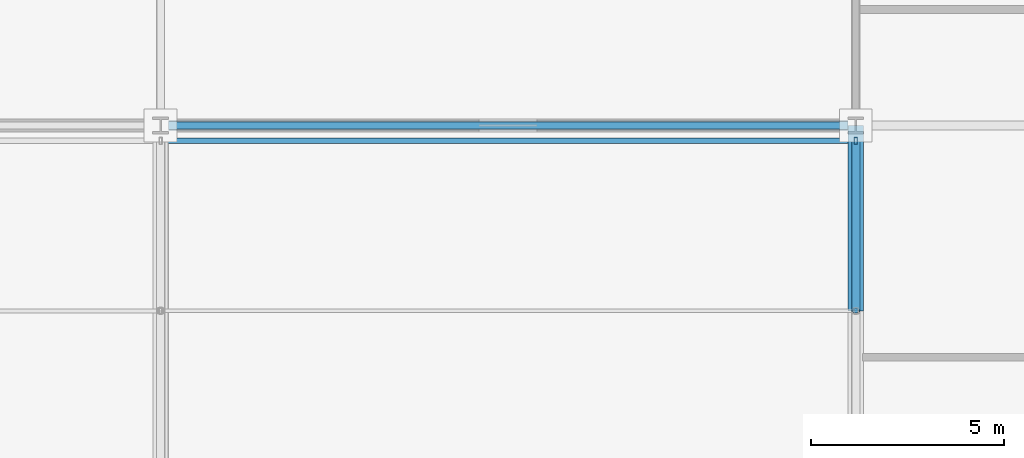
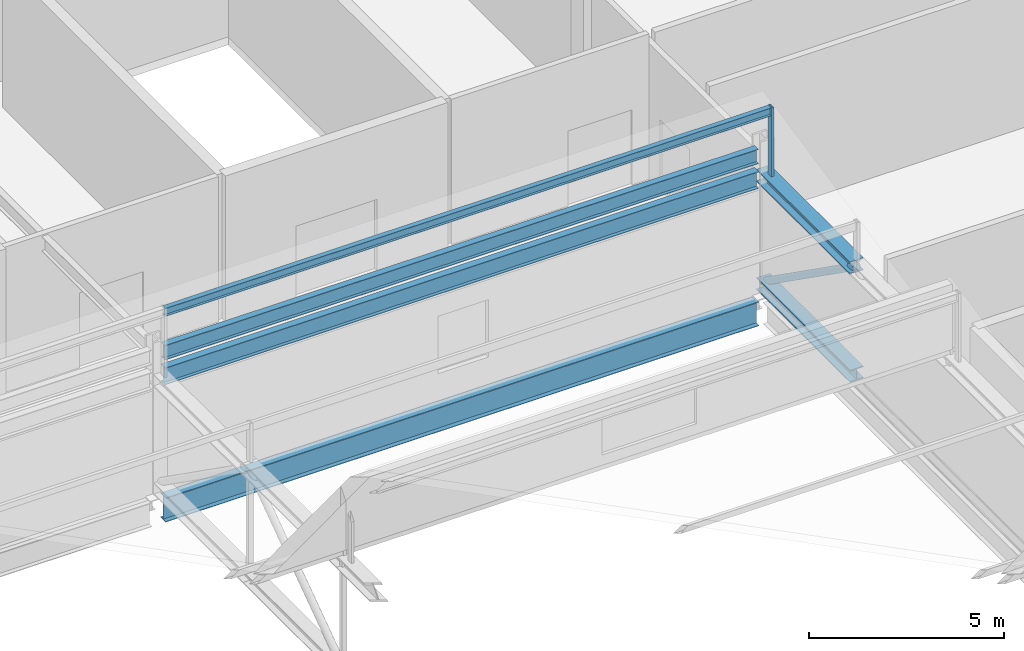
# One storey, part 74 of 136: 5 beams, 3 members.
"""IFC4 building model written with IfcOpenShell, lengths in metres."""

from ifc_helpers import new_model, si_unit, direction, frame, origin, origin_2d, place, context, subcontext, project, spatial, hollow_rectangle, hollow_circle, i_section, extrude, material, material_profile, profile_set, type_object, element, save


model = new_model("IFC4")

# Units and contexts
model_context = context("Model", 3, precision=1e-05, world=origin(), true_north=direction((0.0, 1.0)))
body_context = subcontext(model_context, "Body", "Model", "MODEL_VIEW")
ifc_project = project(units=[si_unit("LENGTHUNIT", "METRE"), si_unit("AREAUNIT", "SQUARE_METRE"), si_unit("VOLUMEUNIT", "CUBIC_METRE"), si_unit("PLANEANGLEUNIT", "RADIAN"), si_unit("MASSUNIT", "GRAM", prefix="KILO")], contexts=[model_context])

# Site, building, storey
site_placement = place(None, origin())
site = spatial("IfcSite", under=ifc_project, at=site_placement, CompositionType="ELEMENT")
building_placement = place(site_placement, origin())
building = spatial("IfcBuilding", under=site, at=building_placement, Name="Kisiwana Market Hall", CompositionType="ELEMENT")
storey_placement = place(building_placement, frame((0.0, 0.0, 16.800048828125)))
storey = spatial("IfcBuildingStorey", under=building, at=storey_placement, Name="L03", CompositionType="ELEMENT", Elevation=16.800048828125)

# Beams
ifc_material_1 = material(Name="Steel S355", Category="steel")
ifc_material_profile_1 = material_profile(ifc_material_1, i_section(OverallWidth=0.19140625, OverallDepth=0.4599609375, WebThickness=0.010009765625, FlangeThickness=0.01611328125, at=origin_2d()), Name="UB 457x191x82")
ifc_profile_set_1 = profile_set([ifc_material_profile_1], Name="Steel S355")
beam_type_1 = type_object("IfcBeamType", Name="BM-GIRD-UB457H", PredefinedType="BEAM", material=ifc_profile_set_1)
beam_1_placement = place(storey_placement, frame((135.201904296875, 84.0, 4.27783203125), z_axis=(1.0, 0.0, 0.0), x_axis=(0.0, 1.0, 0.0)))
element("IfcBeam", 1, at=beam_1_placement, inside=storey, type_object=beam_type_1, Name="Roof girder B-1157", PredefinedType="BEAM", context=body_context, shape_type="SweptSolid", body=[
    extrude(i_section(OverallWidth=0.19140625, OverallDepth=0.4599609375, WebThickness=0.010009765625, FlangeThickness=0.01611328125, at=origin_2d()), origin(), (0.0, 0.0, 1.0), 17.59619140625),
])
ifc_material_2 = material(Name="Steel S355", Category="steel")
ifc_material_profile_2 = material_profile(ifc_material_2, i_section(OverallWidth=0.209228515625, OverallDepth=0.533203125, WebThickness=0.010009765625, FlangeThickness=0.015625, at=origin_2d()), Name="UB 533x210x92")
ifc_profile_set_2 = profile_set([ifc_material_profile_2], Name="Steel S355")
beam_type_2 = type_object("IfcBeamType", Name="BM-GIRD-UB533", PredefinedType="BEAM", material=ifc_profile_set_2)
beam_2_placement = place(storey_placement, frame((135.199951171875, 84.0, 3.54345703125), z_axis=(1.0, 0.0, 0.0), x_axis=(0.0, 1.0, 0.0)))
element("IfcBeam", 2, at=beam_2_placement, inside=storey, type_object=beam_type_2, Name="Truss eaves tie B-1176", PredefinedType="BEAM", context=body_context, shape_type="SweptSolid", body=[
    extrude(i_section(OverallWidth=0.209228515625, OverallDepth=0.533203125, WebThickness=0.010009765625, FlangeThickness=0.015625, at=origin_2d()), origin(), (0.0, 0.0, 1.0), 17.60009765625),
])
ifc_material_3 = material(Name="Steel S355", Category="steel")
ifc_material_profile_3 = material_profile(ifc_material_3, i_section(OverallWidth=0.2666015625, OverallDepth=0.76220703125, WebThickness=0.014404296875, FlangeThickness=0.021484375, at=origin_2d()), Name="UB 762x267x173")
ifc_profile_set_3 = profile_set([ifc_material_profile_3], Name="Steel S355")
beam_type_3 = type_object("IfcBeamType", Name="BM-GIRD-UB762", PredefinedType="BEAM", material=ifc_profile_set_3)
beam_3_placement = place(storey_placement, frame((135.201904296875, 84.0, -0.631103515625), z_axis=(1.0, 0.0, 0.0), x_axis=(0.0, 1.0, 0.0)))
element("IfcBeam", 3, at=beam_3_placement, inside=storey, type_object=beam_type_3, Name="Floor beam B-1036", PredefinedType="BEAM", context=body_context, shape_type="SweptSolid", body=[
    extrude(i_section(OverallWidth=0.2666015625, OverallDepth=0.76220703125, WebThickness=0.014404296875, FlangeThickness=0.021484375, at=origin_2d()), origin(), (0.0, 0.0, 1.0), 17.59619140625),
])
ifc_material_4 = material(Name="Steel S355", Category="steel")
ifc_material_profile_4 = material_profile(ifc_material_4, i_section(OverallWidth=0.394775390625, OverallDepth=0.381103515625, WebThickness=0.018310546875, FlangeThickness=0.0302734375, at=origin_2d()), Name="UC 356x406x235")
ifc_profile_set_4 = profile_set([ifc_material_profile_4], Name="Steel S355")
beam_type_4 = type_object("IfcBeamType", Name="BM-TRUSS-BOT", PredefinedType="USERDEFINED", material=ifc_profile_set_4)
beam_4_placement = place(storey_placement, frame((153.0, 79.199951171875, 0.22998046875), z_axis=(0.0, 1.0, 0.0), x_axis=(-1.0, 0.0, 0.0)))
element("IfcBeam", 4, at=beam_4_placement, inside=storey, type_object=beam_type_4, Name="TR-08 BC panel 10 B-1318", ObjectType="ROOF TRUSS", PredefinedType="USERDEFINED", context=body_context, shape_type="SweptSolid", body=[
    extrude(i_section(OverallWidth=0.394775390625, OverallDepth=0.381103515625, WebThickness=0.018310546875, FlangeThickness=0.0302734375, at=origin_2d()), origin(), (0.0, 0.0, 1.0), 4.800048828125),
])
ifc_material_5 = material(Name="Steel S355", Category="steel")
ifc_material_profile_5 = material_profile(ifc_material_5, i_section(OverallWidth=0.39892578125, OverallDepth=0.3935546875, WebThickness=0.022705078125, FlangeThickness=0.03662109375, at=origin_2d()), Name="UC 356x406x287")
ifc_profile_set_5 = profile_set([ifc_material_profile_5], Name="Steel S355")
beam_type_5 = type_object("IfcBeamType", Name="BM-TRUSS-TOP", PredefinedType="USERDEFINED", material=ifc_profile_set_5)
beam_5_placement = place(storey_placement, frame((153.0, 79.199951171875, 3.619873046875), z_axis=(0.0, 1.0, 0.0), x_axis=(-1.0, 0.0, 0.0)))
element("IfcBeam", 5, at=beam_5_placement, inside=storey, type_object=beam_type_5, Name="TR-08 TC panel 10 B-1328", ObjectType="ROOF TRUSS", PredefinedType="USERDEFINED", context=body_context, shape_type="SweptSolid", body=[
    extrude(i_section(OverallWidth=0.39892578125, OverallDepth=0.3935546875, WebThickness=0.022705078125, FlangeThickness=0.03662109375, at=origin_2d()), origin(), (0.0, 0.0, 1.0), 4.800048828125),
])

# Members
ifc_material_6 = material(Name="Steel S355", Category="steel")
ifc_material_profile_6 = material_profile(ifc_material_6, hollow_rectangle(XDim=0.080078125, YDim=0.179931640625, WallThickness=0.00634765625, at=origin_2d()), Name="RHS 180x80x6.3")
ifc_profile_set_6 = profile_set([ifc_material_profile_6], Name="Steel S355")
member_type_1 = type_object("IfcMemberType", Name="MB-CAN-STRUT", PredefinedType="STRUT", material=ifc_profile_set_6)
member_1_placement = place(storey_placement, frame((153.0, 83.60009765625, 3.619873046875), z_axis=(0.0, 0.0, 1.0), x_axis=(1.0, 0.0, 0.0)))
element("IfcMember", 6, at=member_1_placement, inside=storey, type_object=member_type_1, Name="Sawtooth raker post 348 M-0335", PredefinedType="STRUT", context=body_context, shape_type="SweptSolid", body=[
    extrude(hollow_rectangle(XDim=0.080078125, YDim=0.179931640625, WallThickness=0.00634765625, at=origin_2d()), origin(), (0.0, 0.0, 1.0), 2.355712890625),
])
ifc_material_7 = material(Name="Steel S355", Category="steel")
ifc_material_profile_7 = material_profile(ifc_material_7, i_section(OverallWidth=0.146484375, OverallDepth=0.256103515625, WebThickness=0.00634765625, FlangeThickness=0.010986328125, at=origin_2d()), Name="UB 254x146x37")
ifc_profile_set_7 = profile_set([ifc_material_profile_7], Name="Steel S355")
member_type_2 = type_object("IfcMemberType", Name="MB-ROOF-PURLIN2", PredefinedType="PURLIN", material=ifc_profile_set_7)
member_2_placement = place(storey_placement, frame((135.0, 83.60009765625, 5.843505859375), z_axis=(1.0, 0.0, 0.0), x_axis=(0.0, 1.0, 0.0)))
element("IfcMember", 7, at=member_2_placement, inside=storey, type_object=member_type_2, Name="Sawtooth roof purlin 362 M-0223", PredefinedType="PURLIN", context=body_context, shape_type="SweptSolid", body=[
    extrude(i_section(OverallWidth=0.146484375, OverallDepth=0.256103515625, WebThickness=0.00634765625, FlangeThickness=0.010986328125, at=origin_2d()), origin(), (0.0, 0.0, 1.0), 18.0),
])
ifc_material_8 = material(Name="Steel S355", Category="steel")
ifc_material_profile_8 = material_profile(ifc_material_8, hollow_circle(Radius=0.109619140625, WallThickness=0.012451171875, at=origin_2d()), Name="CHS 219.1x12.5")
ifc_profile_set_8 = profile_set([ifc_material_profile_8], Name="Steel S355")
member_type_3 = type_object("IfcMemberType", Name="MB-TR-DIAG219", PredefinedType="BRACE", material=ifc_profile_set_8)
member_3_placement = place(storey_placement, frame((153.0, 79.199951171875, 3.619873046875), z_axis=(0.0, 0.816837735077, -0.576867501732), x_axis=(-1.0, 0.0, 0.0)))
element("IfcMember", 8, at=member_3_placement, inside=storey, type_object=member_type_3, Name="TR-08 diagonal 10 M-0469", PredefinedType="BRACE", context=body_context, shape_type="SweptSolid", body=[
    extrude(hollow_circle(Radius=0.109619140625, WallThickness=0.012451171875, at=origin_2d()), origin(), (0.0, 0.0, 1.0), 5.87646484375),
])

save(model, "model.ifc")
